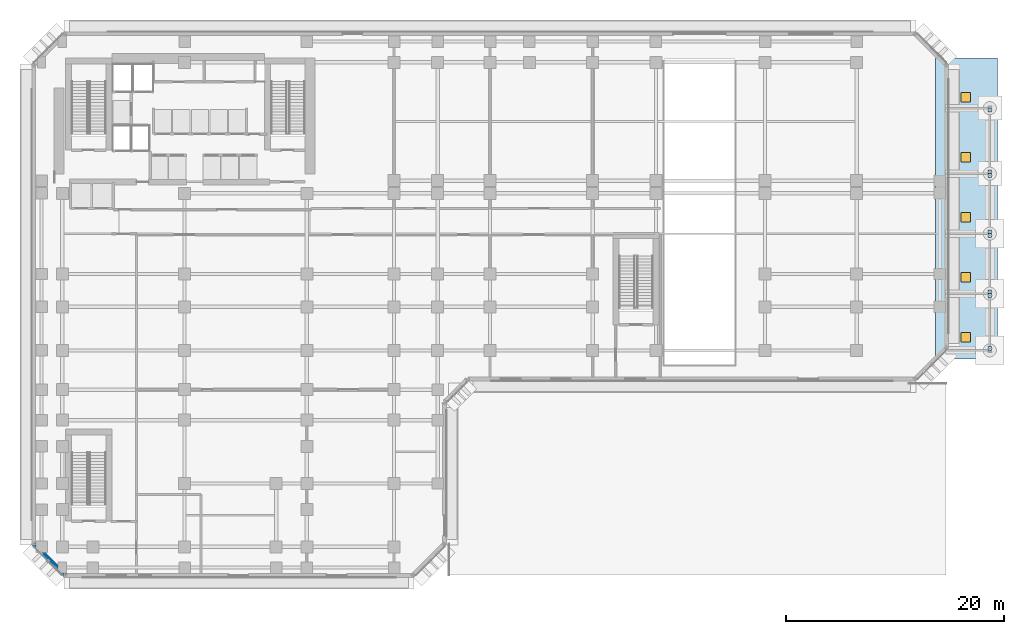
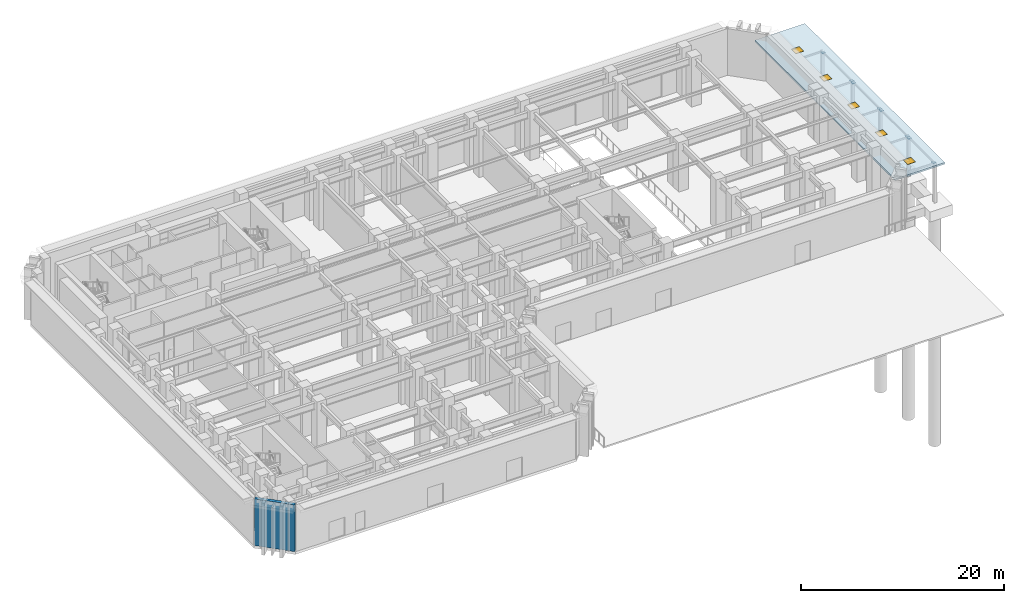
# One storey, part 6 of 18: 8 plates, 5 doors, 1 slab, 1 wall, 5 openings.
"""IFC4 building model written with IfcOpenShell, lengths in metres."""

from ifc_helpers import new_model, si_unit, direction, frame, frame_2d, origin, origin_2d, place, context, subcontext, project, spatial, polyline, rectangle, outline, extrude, material, layer, layer_set, type_object, element, fill, save


model = new_model("IFC4")

# Units and contexts
model_context = context("Model", 3, precision=1e-05, world=origin(), true_north=direction((0.0, 1.0)))
body_context = subcontext(model_context, "Body", "Model", "MODEL_VIEW")
ifc_project = project(units=[si_unit("LENGTHUNIT", "METRE"), si_unit("AREAUNIT", "SQUARE_METRE"), si_unit("VOLUMEUNIT", "CUBIC_METRE"), si_unit("PLANEANGLEUNIT", "RADIAN"), si_unit("MASSUNIT", "GRAM", prefix="KILO")], contexts=[model_context])

# Site, building, storey
site_placement = place(None, origin())
site = spatial("IfcSite", under=ifc_project, at=site_placement, CompositionType="ELEMENT")
building_placement = place(site_placement, origin())
building = spatial("IfcBuilding", under=site, at=building_placement, Name="Kefirva Bronze Tower", CompositionType="ELEMENT")
storey_placement = place(building_placement, origin())
storey = spatial("IfcBuildingStorey", under=building, at=storey_placement, Name="L00", CompositionType="ELEMENT", Elevation=0.0)

# Slab, openings, doors
ifc_material_1 = material(Name="Precast concrete C40/50", Category="concrete")
ifc_layer_1 = layer(ifc_material_1, 0.199951171875, Name="Precast concrete C40/50")
ifc_layer_set_1 = layer_set([ifc_layer_1], Name="Precast concrete C40/50")
slab_type = type_object("IfcSlabType", Name="RC Entrance Canopy Slab 200mm", PredefinedType="ROOF", material=ifc_layer_set_1)
slab_placement = place(storey_placement, frame((0.0, 0.0, 4.60009765625)))
slab = element("IfcSlab", 1, at=slab_placement, inside=storey, type_object=slab_type, Name="L00 East Colonnade Canopy Slab", PredefinedType="ROOF", context=body_context, shape_type="SweptSolid", body=[
    extrude(outline(polyline([(80.800048828125, 18.0), (86.5, 18.0), (86.5, 45.60009765625), (80.800048828125, 45.60009765625), (80.800048828125, 18.0)]), holes=[polyline([(83.14990234375, 19.550048828125), (84.050048828125, 19.550048828125), (84.050048828125, 20.449951171875), (83.14990234375, 20.449951171875), (83.14990234375, 19.550048828125)]), polyline([(83.14990234375, 25.050048828125), (84.050048828125, 25.050048828125), (84.050048828125, 25.949951171875), (83.14990234375, 25.949951171875), (83.14990234375, 25.050048828125)]), polyline([(83.14990234375, 30.550048828125), (84.050048828125, 30.550048828125), (84.050048828125, 31.449951171875), (83.14990234375, 31.449951171875), (83.14990234375, 30.550048828125)]), polyline([(83.14990234375, 36.050048828125), (84.050048828125, 36.050048828125), (84.050048828125, 36.949951171875), (83.14990234375, 36.949951171875), (83.14990234375, 36.050048828125)]), polyline([(83.14990234375, 41.550048828125), (84.050048828125, 41.550048828125), (84.050048828125, 42.449951171875), (83.14990234375, 42.449951171875), (83.14990234375, 41.550048828125)])]), origin(), (0.0, 0.0, 1.0), 0.199951171875),
])
opening_1_placement = place(slab_placement, frame((83.60009765625, 20.0, 0.0)))
opening_1 = element("IfcOpeningElement", 2, at=opening_1_placement, cuts=slab, Name="Opening HT-01", PredefinedType="OPENING", context=body_context, shape_type="SweptSolid", body=[
    extrude(rectangle(XDim=0.89990234375, YDim=0.89990234375, at=origin_2d()), frame((0.0, 0.0, -0.010009765625)), (0.0, 0.0, 1.0), 0.219970703125),
])
opening_2_placement = place(slab_placement, frame((83.60009765625, 25.5, 0.0)))
opening_2 = element("IfcOpeningElement", 3, at=opening_2_placement, cuts=slab, Name="Opening HT-01", PredefinedType="OPENING", context=body_context, shape_type="SweptSolid", body=[
    extrude(rectangle(XDim=0.89990234375, YDim=0.89990234375, at=origin_2d()), frame((0.0, 0.0, -0.010009765625)), (0.0, 0.0, 1.0), 0.219970703125),
])
opening_3_placement = place(slab_placement, frame((83.60009765625, 31.0, 0.0)))
opening_3 = element("IfcOpeningElement", 4, at=opening_3_placement, cuts=slab, Name="Opening HT-01", PredefinedType="OPENING", context=body_context, shape_type="SweptSolid", body=[
    extrude(rectangle(XDim=0.89990234375, YDim=0.89990234375, at=origin_2d()), frame((0.0, 0.0, -0.010009765625)), (0.0, 0.0, 1.0), 0.219970703125),
])
opening_4_placement = place(slab_placement, frame((83.60009765625, 36.5, 0.0)))
opening_4 = element("IfcOpeningElement", 5, at=opening_4_placement, cuts=slab, Name="Opening HT-01", PredefinedType="OPENING", context=body_context, shape_type="SweptSolid", body=[
    extrude(rectangle(XDim=0.89990234375, YDim=0.89990234375, at=origin_2d()), frame((0.0, 0.0, -0.010009765625)), (0.0, 0.0, 1.0), 0.219970703125),
])
opening_5_placement = place(slab_placement, frame((83.60009765625, 42.0, 0.0)))
opening_5 = element("IfcOpeningElement", 6, at=opening_5_placement, cuts=slab, Name="Opening HT-01", PredefinedType="OPENING", context=body_context, shape_type="SweptSolid", body=[
    extrude(rectangle(XDim=0.89990234375, YDim=0.89990234375, at=origin_2d()), frame((0.0, 0.0, -0.010009765625)), (0.0, 0.0, 1.0), 0.219970703125),
])
ifc_material_2 = material(Name="Painted galvanized steel", Category="steel")
door_type = type_object("IfcDoorType", Name="Roof & Overrun Maintenance Hatch 900x900", OperationType="SINGLE_SWING_LEFT", PredefinedType="TRAPDOOR", material=ifc_material_2)
door_1_placement = place(opening_1_placement, frame((0.0, 0.0, 0.14990234375)))
door_1 = element("IfcDoor", 7, at=door_1_placement, inside=storey, type_object=door_type, Name="L00 Canopy Roof Access Hatch 1", OperationType="SINGLE_SWING_LEFT", OverallHeight=0.89990234375, OverallWidth=0.89990234375, PredefinedType="TRAPDOOR", context=body_context, shape_type="SweptSolid", body=[
    extrude(rectangle(XDim=0.89990234375, YDim=0.89990234375, at=origin_2d()), origin(), (0.0, 0.0, 1.0), 0.050048828125),
])
fill(opening_1, door_1)
door_2_placement = place(opening_2_placement, frame((0.0, 0.0, 0.14990234375)))
door_2 = element("IfcDoor", 8, at=door_2_placement, inside=storey, type_object=door_type, Name="L00 Canopy Roof Access Hatch 2", OperationType="SINGLE_SWING_LEFT", OverallHeight=0.89990234375, OverallWidth=0.89990234375, PredefinedType="TRAPDOOR", context=body_context, shape_type="SweptSolid", body=[
    extrude(rectangle(XDim=0.89990234375, YDim=0.89990234375, at=origin_2d()), origin(), (0.0, 0.0, 1.0), 0.050048828125),
])
fill(opening_2, door_2)
door_3_placement = place(opening_3_placement, frame((0.0, 0.0, 0.14990234375)))
door_3 = element("IfcDoor", 9, at=door_3_placement, inside=storey, type_object=door_type, Name="L00 Canopy Roof Access Hatch 3", OperationType="SINGLE_SWING_LEFT", OverallHeight=0.89990234375, OverallWidth=0.89990234375, PredefinedType="TRAPDOOR", context=body_context, shape_type="SweptSolid", body=[
    extrude(rectangle(XDim=0.89990234375, YDim=0.89990234375, at=origin_2d()), origin(), (0.0, 0.0, 1.0), 0.050048828125),
])
fill(opening_3, door_3)
door_4_placement = place(opening_4_placement, frame((0.0, 0.0, 0.14990234375)))
door_4 = element("IfcDoor", 10, at=door_4_placement, inside=storey, type_object=door_type, Name="L00 Canopy Roof Access Hatch 4", OperationType="SINGLE_SWING_LEFT", OverallHeight=0.89990234375, OverallWidth=0.89990234375, PredefinedType="TRAPDOOR", context=body_context, shape_type="SweptSolid", body=[
    extrude(rectangle(XDim=0.89990234375, YDim=0.89990234375, at=origin_2d()), origin(), (0.0, 0.0, 1.0), 0.050048828125),
])
fill(opening_4, door_4)
door_5_placement = place(opening_5_placement, frame((0.0, 0.0, 0.14990234375)))
door_5 = element("IfcDoor", 11, at=door_5_placement, inside=storey, type_object=door_type, Name="L00 Canopy Roof Access Hatch 5", OperationType="SINGLE_SWING_LEFT", OverallHeight=0.89990234375, OverallWidth=0.89990234375, PredefinedType="TRAPDOOR", context=body_context, shape_type="SweptSolid", body=[
    extrude(rectangle(XDim=0.89990234375, YDim=0.89990234375, at=origin_2d()), origin(), (0.0, 0.0, 1.0), 0.050048828125),
])
fill(opening_5, door_5)

# Plates
ifc_material_3 = material(Name="Steel S460", Category="steel")
ifc_layer_2 = layer(ifc_material_3, 0.0400390625, Name="Steel S460")
ifc_layer_set_2 = layer_set([ifc_layer_2], Name="Steel S460")
plate_type = type_object("IfcPlateType", Name="Steel Node Gusset Plate 40mm", PredefinedType="USERDEFINED", material=ifc_layer_set_2)
for number, where, z_axis, x_axis, name in (
    (12, (85.800048828125, 18.97998046875, 4.4599609375), (0.0, 0.0, 1.0), (1.0, 0.0, 0.0), "L00 Canopy Purlin End Plate 1-1"),
    (13, (85.800048828125, 23.820068359375, 4.4599609375), (0.0, 0.0, 1.0), (1.0, 0.0, 0.0), "L00 Canopy Purlin End Plate 1-2"),
    (14, (85.800048828125, 24.179931640625, 4.4599609375), (0.0, 0.0, 1.0), (1.0, 0.0, 0.0), "L00 Canopy Purlin End Plate 2-1"),
    (15, (85.800048828125, 29.320068359375, 4.4599609375), (0.0, 0.0, 1.0), (1.0, 0.0, 0.0), "L00 Canopy Purlin End Plate 2-2"),
    (16, (85.800048828125, 29.679931640625, 4.4599609375), (0.0, 0.0, 1.0), (1.0, 0.0, 0.0), "L00 Canopy Purlin End Plate 3-1"),
    (17, (85.800048828125, 34.820068359375, 4.4599609375), (0.0, 0.0, 1.0), (1.0, 0.0, 0.0), "L00 Canopy Purlin End Plate 3-2"),
    (18, (85.800048828125, 35.179931640625, 4.4599609375), (0.0, 0.0, 1.0), (1.0, 0.0, 0.0), "L00 Canopy Purlin End Plate 4-1"),
    (19, (85.800048828125, 40.820068359375, 4.4599609375), (0.0, 0.0, 1.0), (1.0, 0.0, 0.0), "L00 Canopy Purlin End Plate 4-2"),
):
    element("IfcPlate", number, at=place(storey_placement, frame(where, z_axis=z_axis, x_axis=x_axis)), inside=storey, type_object=plate_type, Name=name, ObjectType="GUSSET PLATE", PredefinedType="USERDEFINED", context=body_context, shape_type="SweptSolid", body=[
        extrude(rectangle(XDim=0.35009765625, YDim=0.35009765625, at=origin_2d()), origin(), (0.0, 0.0, 1.0), 0.0400390625),
    ])

# Wall
ifc_layer_3 = layer(ifc_material_1, 0.360107421875, Name="Precast concrete C40/50")
ifc_layer_set_3 = layer_set([ifc_layer_3], Name="Precast concrete C40/50")
wall_type = type_object("IfcWallType", Name="Precast Podium Facade Wall 360mm", PredefinedType="SOLIDWALL", material=ifc_layer_set_3)
wall_placement = place(storey_placement, frame((-1.833740234375, 1.08837890625, 0.0), z_axis=(0.0, 0.0, 1.0), x_axis=(0.707106781187, -0.707106781187, 0.0)))
element("IfcWall", 20, at=wall_placement, inside=storey, type_object=wall_type, Name="L00 Exterior Facade Wall 12", PredefinedType="SOLIDWALL", context=body_context, shape_type="SweptSolid", body=[
    extrude(rectangle(XDim=4.132568359375, YDim=0.360107421875, at=frame_2d((2.06640625, 0.0))), origin(), (0.0, 0.0, 1.0), 5.6201171875),
])

save(model, "model.ifc")
